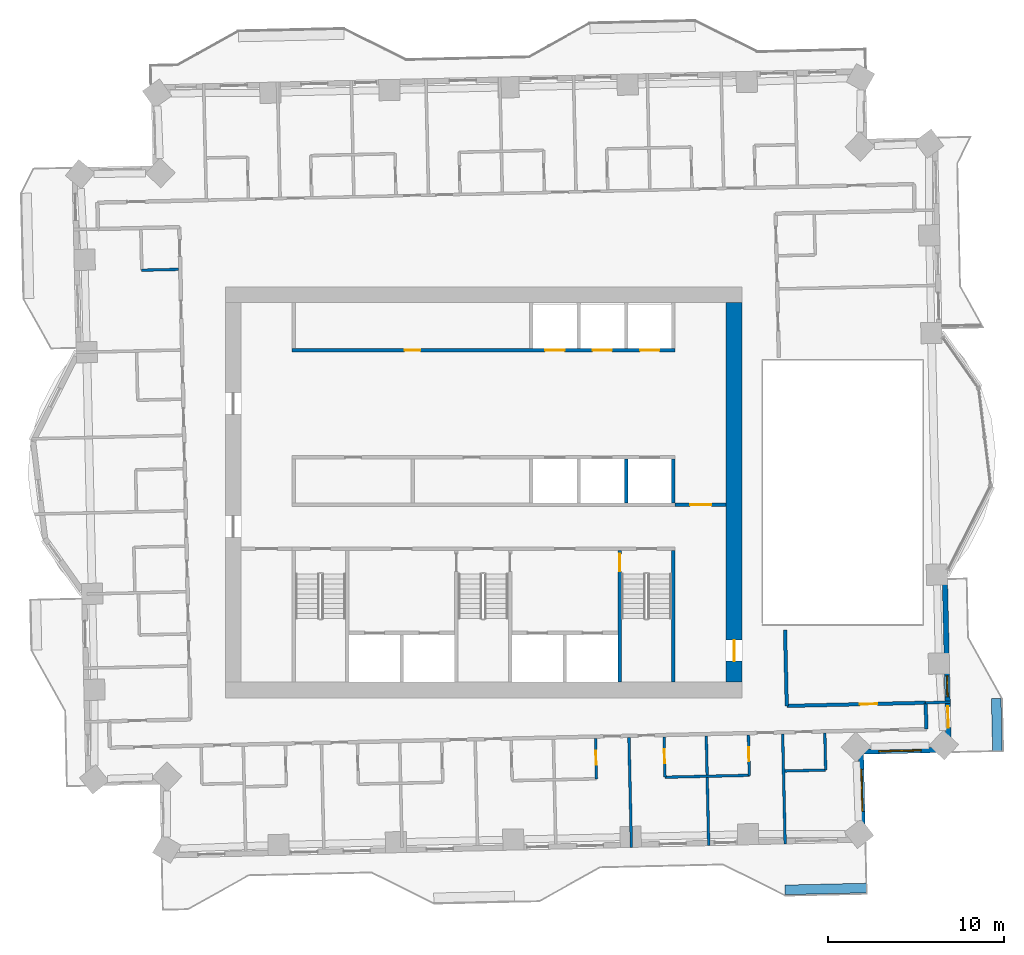
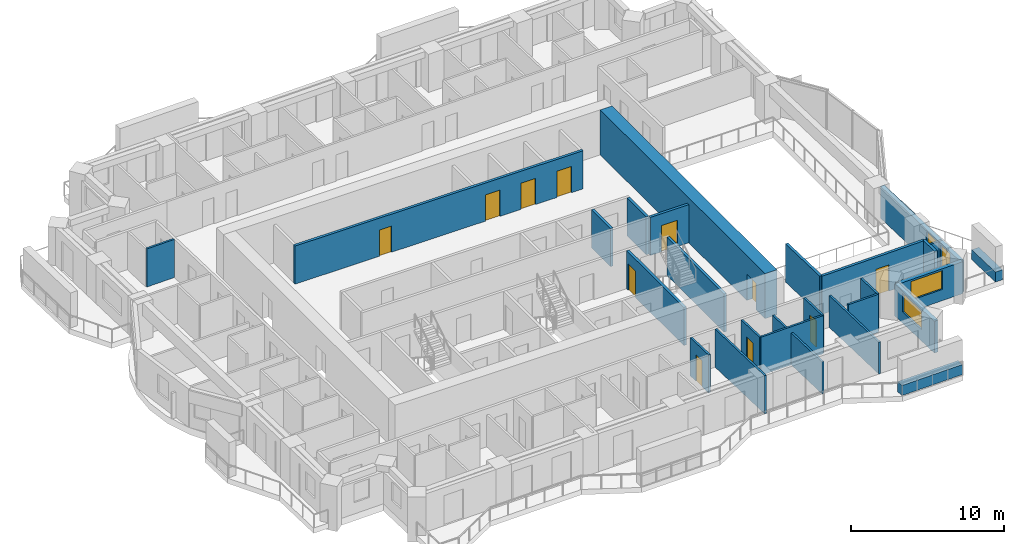
# One storey, part 7 of 14: 26 walls, 12 doors, 3 windows, 15 openings.
"""IFC4 building model written with IfcOpenShell, lengths in metres."""

from ifc_helpers import new_model, si_unit, direction, frame, frame_2d, origin, place, context, subcontext, project, spatial, rectangle, extrude, material, layer, layer_set, type_object, element, fill, save


model = new_model("IFC4")

# Units and contexts
model_context = context("Model", 3, precision=1e-05, world=origin(), true_north=direction((0.0, 1.0)))
body_context = subcontext(model_context, "Body", "Model", "MODEL_VIEW")
ifc_project = project(units=[si_unit("LENGTHUNIT", "METRE"), si_unit("AREAUNIT", "SQUARE_METRE"), si_unit("VOLUMEUNIT", "CUBIC_METRE"), si_unit("PLANEANGLEUNIT", "RADIAN"), si_unit("MASSUNIT", "GRAM", prefix="KILO")], contexts=[model_context])

# Site, building, storey
site_placement = place(None, origin())
site = spatial("IfcSite", under=ifc_project, at=site_placement, CompositionType="ELEMENT")
building_placement = place(site_placement, origin())
building = spatial("IfcBuilding", under=site, at=building_placement, Name="Mangrove Gate Tower", CompositionType="ELEMENT")
storey_placement = place(building_placement, frame((0.0, 0.0, 186.10009765625)))
storey = spatial("IfcBuildingStorey", under=building, at=storey_placement, Name="L47", CompositionType="ELEMENT", Elevation=186.10009765625)

# Wall, opening, door
ifc_material_1 = material(Name="Concrete C32/40", Category="concrete")
ifc_layer_1 = layer(ifc_material_1, 0.199951171875)
ifc_layer_set_1 = layer_set([ifc_layer_1], Name="Core lobby wall 200 C32/40")
wall_type_1 = type_object("IfcWallType", Name="Core lobby wall 200 C32/40", PredefinedType="STANDARD", material=ifc_layer_set_1)
wall_1_placement = place(storey_placement, frame((10.89990234375, -0.699951171875, 0.0), z_axis=(0.0, 0.0, 1.0), x_axis=(1.0, 0.0, 0.0)))
wall_1 = element("IfcWall", 1, at=wall_1_placement, inside=storey, type_object=wall_type_1, Name="WALL-L47-CORE-31", PredefinedType="STANDARD", context=body_context, shape_type="SweptSolid", body=[
    extrude(rectangle(XDim=2.900146484375, YDim=0.199951171875, at=frame_2d((1.4501953125, 0.0))), origin(), (0.0, 0.0, 1.0), 3.0498046875),
])
opening_1_placement = place(wall_1_placement, frame((0.85009765625, 0.0, 0.0)))
opening_1 = element("IfcOpeningElement", 2, at=opening_1_placement, cuts=wall_1, Name="Opening FL12", PredefinedType="OPENING", context=body_context, shape_type="SweptSolid", body=[
    extrude(rectangle(XDim=1.199951171875, YDim=2.10009765625, at=frame_2d((0.60009765625, 1.050048828125))), frame((0.0, 0.10986328125, 0.0), z_axis=(0.0, -1.0, 0.0), x_axis=(1.0, 0.0, 0.0)), (0.0, 0.0, 1.0), 0.219970703125),
])
ifc_material_2 = material(Name="Fire-rated steel door set", Category="steel")
door_type_1 = type_object("IfcDoorType", Name="Lobby door FD60 1200x2100", OperationType="SINGLE_SWING_LEFT", PredefinedType="DOOR", material=ifc_material_2)
door_1_placement = place(opening_1_placement, origin())
door_1 = element("IfcDoor", 3, at=door_1_placement, inside=storey, type_object=door_type_1, Name="Lobby door core corridor E partition", OperationType="SINGLE_SWING_LEFT", OverallHeight=2.10009765625, OverallWidth=1.199951171875, PredefinedType="DOOR", context=body_context, shape_type="SweptSolid", body=[
    extrude(rectangle(XDim=1.199951171875, YDim=2.10009765625, at=frame_2d((0.60009765625, 1.050048828125))), frame((0.0, 0.02490234375, 0.0), z_axis=(0.0, -1.0, 0.0), x_axis=(1.0, 0.0, 0.0)), (0.0, 0.0, 1.0), 0.050048828125),
])
fill(opening_1, door_1)

# Wall, openings, doors
ifc_material_3 = material(Name="Concrete C60/75", Category="concrete")
ifc_layer_2 = layer(ifc_material_3, 0.199951171875)
ifc_layer_set_2 = layer_set([ifc_layer_2], Name="Core shaft wall 200 C60/75")
wall_type_2 = type_object("IfcWallType", Name="Core shaft wall 200 C60/75", PredefinedType="SHEAR", material=ifc_layer_set_2)
wall_2_placement = place(storey_placement, frame((-10.89990234375, 8.10009765625, 0.0), z_axis=(0.0, 0.0, 1.0), x_axis=(1.0, 0.0, 0.0)))
wall_2 = element("IfcWall", 4, at=wall_2_placement, inside=storey, type_object=wall_type_2, Name="WALL-L47-CORE-8", PredefinedType="SHEAR", context=body_context, shape_type="SweptSolid", body=[
    extrude(rectangle(XDim=21.7998046875, YDim=0.199951171875, at=frame_2d((10.89990234375, 0.0))), origin(), (0.0, 0.0, 1.0), 3.0498046875),
])
opening_2_placement = place(wall_2_placement, frame((14.39990234375, 0.0, 0.0)))
opening_2 = element("IfcOpeningElement", 5, at=opening_2_placement, cuts=wall_2, Name="Opening LD", PredefinedType="OPENING", context=body_context, shape_type="SweptSolid", body=[
    extrude(rectangle(XDim=1.10009765625, YDim=2.10009765625, at=frame_2d((0.550048828125, 1.050048828125))), frame((0.0, 0.10986328125, 0.0), z_axis=(0.0, -1.0, 0.0), x_axis=(1.0, 0.0, 0.0)), (0.0, 0.0, 1.0), 0.219970703125),
])
opening_3_placement = place(wall_2_placement, frame((17.10009765625, 0.0, 0.0)))
opening_3 = element("IfcOpeningElement", 6, at=opening_3_placement, cuts=wall_2, Name="Opening LD", PredefinedType="OPENING", context=body_context, shape_type="SweptSolid", body=[
    extrude(rectangle(XDim=1.10009765625, YDim=2.10009765625, at=frame_2d((0.550048828125, 1.050048828125))), frame((0.0, 0.10986328125, 0.0), z_axis=(0.0, -1.0, 0.0), x_axis=(1.0, 0.0, 0.0)), (0.0, 0.0, 1.0), 0.219970703125),
])
opening_4_placement = place(wall_2_placement, frame((19.800048828125, 0.0, 0.0)))
opening_4 = element("IfcOpeningElement", 7, at=opening_4_placement, cuts=wall_2, Name="Opening LD", PredefinedType="OPENING", context=body_context, shape_type="SweptSolid", body=[
    extrude(rectangle(XDim=1.10009765625, YDim=2.10009765625, at=frame_2d((0.550048828125, 1.050048828125))), frame((0.0, 0.10986328125, 0.0), z_axis=(0.0, -1.0, 0.0), x_axis=(1.0, 0.0, 0.0)), (0.0, 0.0, 1.0), 0.219970703125),
])
opening_5_placement = place(wall_2_placement, frame((6.39990234375, 0.0, 0.0)))
opening_5 = element("IfcOpeningElement", 8, at=opening_5_placement, cuts=wall_2, Name="Opening RD", PredefinedType="OPENING", context=body_context, shape_type="SweptSolid", body=[
    extrude(rectangle(XDim=0.89990234375, YDim=2.10009765625, at=frame_2d((0.449951171875, 1.050048828125))), frame((0.0, 0.10986328125, 0.0), z_axis=(0.0, -1.0, 0.0), x_axis=(1.0, 0.0, 0.0)), (0.0, 0.0, 1.0), 0.219970703125),
])
ifc_material_4 = material(Name="Stainless steel 316", Category="steel")
door_type_2 = type_object("IfcDoorType", Name="Lift landing door 1100x2100", OperationType="SLIDING_TO_LEFT", PredefinedType="DOOR", material=ifc_material_4)
door_2_placement = place(opening_2_placement, origin())
door_2 = element("IfcDoor", 9, at=door_2_placement, inside=storey, type_object=door_type_2, Name="Landing door LD M04", OperationType="SLIDING_TO_LEFT", OverallHeight=2.10009765625, OverallWidth=1.10009765625, PredefinedType="DOOR", context=body_context, shape_type="SweptSolid", body=[
    extrude(rectangle(XDim=1.10009765625, YDim=2.10009765625, at=frame_2d((0.550048828125, 1.050048828125))), frame((0.0, 0.02490234375, 0.0), z_axis=(0.0, -1.0, 0.0), x_axis=(1.0, 0.0, 0.0)), (0.0, 0.0, 1.0), 0.050048828125),
])
fill(opening_2, door_2)
door_3_placement = place(opening_3_placement, origin())
door_3 = element("IfcDoor", 10, at=door_3_placement, inside=storey, type_object=door_type_2, Name="Landing door LD M05", OperationType="SLIDING_TO_LEFT", OverallHeight=2.10009765625, OverallWidth=1.10009765625, PredefinedType="DOOR", context=body_context, shape_type="SweptSolid", body=[
    extrude(rectangle(XDim=1.10009765625, YDim=2.10009765625, at=frame_2d((0.550048828125, 1.050048828125))), frame((0.0, 0.02490234375, 0.0), z_axis=(0.0, -1.0, 0.0), x_axis=(1.0, 0.0, 0.0)), (0.0, 0.0, 1.0), 0.050048828125),
])
fill(opening_3, door_3)
door_4_placement = place(opening_4_placement, origin())
door_4 = element("IfcDoor", 11, at=door_4_placement, inside=storey, type_object=door_type_2, Name="Landing door LD M06", OperationType="SLIDING_TO_LEFT", OverallHeight=2.10009765625, OverallWidth=1.10009765625, PredefinedType="DOOR", context=body_context, shape_type="SweptSolid", body=[
    extrude(rectangle(XDim=1.10009765625, YDim=2.10009765625, at=frame_2d((0.550048828125, 1.050048828125))), frame((0.0, 0.02490234375, 0.0), z_axis=(0.0, -1.0, 0.0), x_axis=(1.0, 0.0, 0.0)), (0.0, 0.0, 1.0), 0.050048828125),
])
fill(opening_4, door_4)
ifc_material_5 = material(Name="Fire-rated steel door set", Category="steel")
door_type_3 = type_object("IfcDoorType", Name="Riser door FD30S 900x2100", OperationType="SINGLE_SWING_LEFT", PredefinedType="DOOR", material=ifc_material_5)
door_5_placement = place(opening_5_placement, origin())
door_5 = element("IfcDoor", 12, at=door_5_placement, inside=storey, type_object=door_type_3, Name="Riser door Comms room", OperationType="SINGLE_SWING_LEFT", OverallHeight=2.10009765625, OverallWidth=0.89990234375, PredefinedType="DOOR", context=body_context, shape_type="SweptSolid", body=[
    extrude(rectangle(XDim=0.89990234375, YDim=2.10009765625, at=frame_2d((0.449951171875, 1.050048828125))), frame((0.0, 0.02490234375, 0.0), z_axis=(0.0, -1.0, 0.0), x_axis=(1.0, 0.0, 0.0)), (0.0, 0.0, 1.0), 0.050048828125),
])
fill(opening_5, door_5)

# Walls
for number, where, z_axis, x_axis, name in (
    (13, (8.10009765625, -0.60009765625, 0.0), (0.0, 0.0, 1.0), (0.0, 1.0, 0.0), "WALL-L47-CORE-23"),
    (14, (10.800048828125, -0.60009765625, 0.0), (0.0, 0.0, 1.0), (0.0, 1.0, 0.0), "WALL-L47-CORE-24"),
):
    element("IfcWall", number, at=place(storey_placement, frame(where, z_axis=z_axis, x_axis=x_axis)), inside=storey, type_object=wall_type_2, Name=name, PredefinedType="SHEAR", context=body_context, shape_type="SweptSolid", body=[
        extrude(rectangle(XDim=2.5, YDim=0.199951171875, at=frame_2d((1.25, 0.0))), origin(), (0.0, 0.0, 1.0), 3.0498046875),
    ])

# Wall, opening, door
ifc_material_6 = material(Name="Concrete C60/75", Category="concrete")
ifc_layer_3 = layer(ifc_material_6, 0.199951171875)
ifc_layer_set_3 = layer_set([ifc_layer_3], Name="Core stair wall 200 C60/75")
wall_type_3 = type_object("IfcWallType", Name="Core stair wall 200 C60/75", PredefinedType="SHEAR", material=ifc_layer_set_3)
wall_3_placement = place(storey_placement, frame((7.75, -10.800048828125, 0.0), z_axis=(0.0, 0.0, 1.0), x_axis=(0.0, 1.0, 0.0)))
wall_3 = element("IfcWall", 15, at=wall_3_placement, inside=storey, type_object=wall_type_3, Name="WALL-L47-CORE-13", PredefinedType="SHEAR", context=body_context, shape_type="SweptSolid", body=[
    extrude(rectangle(XDim=7.5, YDim=0.199951171875, at=frame_2d((3.75, 0.0))), origin(), (0.0, 0.0, 1.0), 3.0498046875),
])
opening_6_placement = place(wall_3_placement, frame((6.300048828125, 0.0, 0.0)))
opening_6 = element("IfcOpeningElement", 16, at=opening_6_placement, cuts=wall_3, Name="Opening STD10", PredefinedType="OPENING", context=body_context, shape_type="SweptSolid", body=[
    extrude(rectangle(XDim=1.0, YDim=2.10009765625, at=frame_2d((0.5, 1.050048828125))), frame((0.0, 0.10986328125, 0.0), z_axis=(0.0, -1.0, 0.0), x_axis=(1.0, 0.0, 0.0)), (0.0, 0.0, 1.0), 0.219970703125),
])
ifc_material_7 = material(Name="Fire-rated steel door set", Category="steel")
door_type_4 = type_object("IfcDoorType", Name="Stair door FD60 1000x2100", OperationType="SINGLE_SWING_RIGHT", PredefinedType="DOOR", material=ifc_material_7)
door_6_placement = place(opening_6_placement, origin())
door_6 = element("IfcDoor", 17, at=door_6_placement, inside=storey, type_object=door_type_4, Name="Stair door Stair 3 from fire-fighting lobby", OperationType="SINGLE_SWING_RIGHT", OverallHeight=2.10009765625, OverallWidth=1.0, PredefinedType="DOOR", context=body_context, shape_type="SweptSolid", body=[
    extrude(rectangle(XDim=1.0, YDim=2.10009765625, at=frame_2d((0.5, 1.050048828125))), frame((0.0, 0.02490234375, 0.0), z_axis=(0.0, -1.0, 0.0), x_axis=(1.0, 0.0, 0.0)), (0.0, 0.0, 1.0), 0.050048828125),
])
fill(opening_6, door_6)

# Wall
wall_4_placement = place(storey_placement, frame((10.800048828125, -10.800048828125, 0.0), z_axis=(0.0, 0.0, 1.0), x_axis=(0.0, 1.0, 0.0)))
element("IfcWall", 18, at=wall_4_placement, inside=storey, type_object=wall_type_3, Name="WALL-L47-CORE-14", PredefinedType="SHEAR", context=body_context, shape_type="SweptSolid", body=[
    extrude(rectangle(XDim=7.5, YDim=0.199951171875, at=frame_2d((3.75, 0.0))), origin(), (0.0, 0.0, 1.0), 3.0498046875),
])

# Wall, opening, door
ifc_material_8 = material(Name="Concrete C60/75", Category="concrete")
ifc_layer_4 = layer(ifc_material_8, 0.89990234375)
ifc_layer_set_4 = layer_set([ifc_layer_4], Name="Core wall 900 C60/75")
wall_type_4 = type_object("IfcWallType", Name="Core wall 900 C60/75", PredefinedType="SHEAR", material=ifc_layer_set_4)
wall_5_placement = place(storey_placement, frame((14.25, -10.800048828125, 0.0), z_axis=(0.0, 0.0, 1.0), x_axis=(0.0, 1.0, 0.0)))
wall_5 = element("IfcWall", 19, at=wall_5_placement, inside=storey, type_object=wall_type_4, Name="WALL-L47-CORE-4", PredefinedType="SHEAR", context=body_context, shape_type="SweptSolid", body=[
    extrude(rectangle(XDim=21.60009765625, YDim=0.89990234375, at=frame_2d((10.800048828125, 0.0))), origin(), (0.0, 0.0, 1.0), 3.599853515625),
])
opening_7_placement = place(wall_5_placement, frame((1.199951171875, 0.0, 0.0)))
opening_7 = element("IfcOpeningElement", 20, at=opening_7_placement, cuts=wall_5, Name="Opening CD", PredefinedType="OPENING", context=body_context, shape_type="SweptSolid", body=[
    extrude(rectangle(XDim=1.199951171875, YDim=2.10009765625, at=frame_2d((0.60009765625, 1.050048828125))), frame((0.0, 0.4599609375, 0.0), z_axis=(0.0, -1.0, 0.0), x_axis=(1.0, 0.0, 0.0)), (0.0, 0.0, 1.0), 0.919921875),
])
ifc_material_9 = material(Name="Fire-rated steel door set", Category="steel")
door_type_5 = type_object("IfcDoorType", Name="Core ring door FD60 1200x2100", OperationType="DOUBLE_DOOR_SINGLE_SWING", PredefinedType="DOOR", material=ifc_material_9)
door_7_placement = place(opening_7_placement, origin())
door_7 = element("IfcDoor", 21, at=door_7_placement, inside=storey, type_object=door_type_5, Name="Core ring door E1", OperationType="DOUBLE_DOOR_SINGLE_SWING", OverallHeight=2.10009765625, OverallWidth=1.199951171875, PredefinedType="DOOR", context=body_context, shape_type="SweptSolid", body=[
    extrude(rectangle(XDim=1.199951171875, YDim=2.10009765625, at=frame_2d((0.60009765625, 1.050048828125))), frame((0.0, 0.02490234375, 0.0), z_axis=(0.0, -1.0, 0.0), x_axis=(1.0, 0.0, 0.0)), (0.0, 0.0, 1.0), 0.050048828125),
])
fill(opening_7, door_7)

# Walls
ifc_material_10 = material(Name="Gypsum board on steel stud, EI 60", Category="steel")
ifc_layer_5 = layer(ifc_material_10, 0.199951171875)
ifc_layer_set_5 = layer_set([ifc_layer_5], Name="Corridor wall EI 60")
wall_type_5 = type_object("IfcWallType", Name="Corridor wall EI 60", PredefinedType="PARTITIONING", material=ifc_layer_set_5)
wall_6_placement = place(storey_placement, frame((25.18896484375, -13.468994140625, 0.0), z_axis=(0.0, 0.0, 1.0), x_axis=(-0.022617910375, 0.999744182344, 0.0)))
element("IfcWall", 22, at=wall_6_placement, inside=storey, type_object=wall_type_5, Name="WALL-L47-026", PredefinedType="PARTITIONING", context=body_context, shape_type="SweptSolid", body=[
    extrude(rectangle(XDim=1.50048828125, YDim=0.199951171875, at=frame_2d((0.750244140625, 0.0))), origin(), (0.0, 0.0, 1.0), 3.0498046875),
])
wall_7_placement = place(storey_placement, frame((17.2470703125, -12.14892578125, 0.0), z_axis=(0.0, 0.0, 1.0), x_axis=(-0.022729111383, 0.999741660378, 0.0)))
element("IfcWall", 23, at=wall_7_placement, inside=storey, type_object=wall_type_5, Name="WALL-L47-030", PredefinedType="PARTITIONING", context=body_context, shape_type="SweptSolid", body=[
    extrude(rectangle(XDim=4.318115234375, YDim=0.199951171875, at=frame_2d((2.1591796875, 0.0))), origin(), (0.0, 0.0, 1.0), 3.0498046875),
])

# Wall, opening, door
wall_8_placement = place(storey_placement, frame((17.248046875, -12.14892578125, 0.0), z_axis=(0.0, 0.0, 1.0), x_axis=(0.999741181744, 0.022750154412, 0.0)))
wall_8 = element("IfcWall", 24, at=wall_8_placement, inside=storey, type_object=wall_type_5, Name="WALL-L47-031", PredefinedType="PARTITIONING", context=body_context, shape_type="SweptSolid", body=[
    extrude(rectangle(XDim=7.908935546875, YDim=0.199951171875, at=frame_2d((3.95458984375, 0.0))), origin(), (0.0, 0.0, 1.0), 3.0498046875),
])
opening_8_placement = place(wall_8_placement, frame((4.155029296875, 0.0, 0.0)))
opening_8 = element("IfcOpeningElement", 25, at=opening_8_placement, cuts=wall_8, Name="Opening AD", PredefinedType="OPENING", context=body_context, shape_type="SweptSolid", body=[
    extrude(rectangle(XDim=1.0, YDim=2.10009765625, at=frame_2d((0.5, 1.050048828125))), frame((0.0, 0.10986328125, 0.0), z_axis=(0.0, -1.0, 0.0), x_axis=(1.0, 0.0, 0.0)), (0.0, 0.0, 1.0), 0.219970703125),
])
ifc_material_11 = material(Name="Timber door leaf", Category="wood")
door_type_6 = type_object("IfcDoorType", Name="Amenity door 1000", OperationType="SINGLE_SWING_LEFT", PredefinedType="DOOR", material=ifc_material_11)
door_8_placement = place(opening_8_placement, origin())
door_8 = element("IfcDoor", 26, at=door_8_placement, inside=storey, type_object=door_type_6, Name="DOOR-L47-KIT-c3b", OperationType="SINGLE_SWING_LEFT", OverallHeight=2.10009765625, OverallWidth=1.0, PredefinedType="DOOR", context=body_context, shape_type="SweptSolid", body=[
    extrude(rectangle(XDim=1.0, YDim=2.10009765625, at=frame_2d((0.5, 1.050048828125))), frame((0.0, 0.02490234375, 0.0), z_axis=(0.0, -1.0, 0.0), x_axis=(1.0, 0.0, 0.0)), (0.0, 0.0, 1.0), 0.050048828125),
])
fill(opening_8, door_8)

# Wall, openings, door, window
ifc_material_12 = material(Name="Limestone", Category="masonry")
ifc_layer_6 = layer(ifc_material_12, 0.0400390625, Name="Limestone cladding")
ifc_material_13 = material(Name="Ventilated air gap")
ifc_layer_7 = layer(ifc_material_13, 0.0400390625, Name="Ventilated cavity")
ifc_material_14 = material(Name="Mineral wool insulation")
ifc_layer_8 = layer(ifc_material_14, 0.06005859375, Name="Insulation")
ifc_material_15 = material(Name="Breather membrane")
ifc_layer_9 = layer(ifc_material_15, 0.001953125, Name="Breather membrane")
ifc_material_16 = material(Name="Concrete C20/25 blockwork", Category="masonry")
ifc_layer_10 = layer(ifc_material_16, 0.14990234375, Name="Blockwork backing wall")
ifc_material_17 = material(Name="Gypsum plaster")
ifc_layer_11 = layer(ifc_material_17, 0.008056640625, Name="Internal plaster")
ifc_layer_set_6 = layer_set([ifc_layer_6, ifc_layer_7, ifc_layer_8, ifc_layer_9, ifc_layer_10, ifc_layer_11], Name="External wall 300 limestone cladding")
wall_type_6 = type_object("IfcWallType", Name="External wall 300 limestone cladding", PredefinedType="SOLIDWALL", material=ifc_layer_set_6)
wall_9_placement = place(storey_placement, frame((26.466064453125, -14.639892578125, 0.0), z_axis=(0.0, 0.0, 1.0), x_axis=(-0.022735782058, 0.999741508698, 0.0)))
wall_9 = element("IfcWall", 27, at=wall_9_placement, inside=storey, type_object=wall_type_6, Name="WALL-L47-E0", PredefinedType="SOLIDWALL", context=body_context, shape_type="SweptSolid", body=[
    extrude(rectangle(XDim=10.029541015625, YDim=0.300048828125, at=frame_2d((5.0146484375, 0.0))), origin(), (0.0, 0.0, 1.0), 2.5498046875),
])
opening_9_placement = place(wall_9_placement, frame((1.260009765625, 0.0, 0.0)))
opening_9 = element("IfcOpeningElement", 28, at=opening_9_placement, cuts=wall_9, Name="Opening BD2", PredefinedType="OPENING", context=body_context, shape_type="SweptSolid", body=[
    extrude(rectangle(XDim=1.199951171875, YDim=2.39990234375, at=frame_2d((0.60009765625, 1.199951171875))), frame((0.0, 0.159912109375, 0.0), z_axis=(0.0, -1.0, 0.0), x_axis=(1.0, 0.0, 0.0)), (0.0, 0.0, 1.0), 0.320068359375),
])
opening_10_placement = place(wall_9_placement, frame((3.006103515625, 0.0, 0.89990234375)))
opening_10 = element("IfcOpeningElement", 29, at=opening_10_placement, cuts=wall_9, Name="Opening W1", PredefinedType="OPENING", context=body_context, shape_type="SweptSolid", body=[
    extrude(rectangle(XDim=1.199951171875, YDim=1.5, at=frame_2d((0.60009765625, 0.75))), frame((0.0, 0.159912109375, 0.0), z_axis=(0.0, -1.0, 0.0), x_axis=(1.0, 0.0, 0.0)), (0.0, 0.0, 1.0), 0.320068359375),
])
ifc_material_18 = material(Name="Aluminium frame with laminated clear glass", Category="aluminium")
door_type_7 = type_object("IfcDoorType", Name="Balcony sliding door 1200x2400", OperationType="SLIDING_TO_LEFT", PredefinedType="DOOR", material=ifc_material_18)
door_9_placement = place(opening_9_placement, origin())
door_9 = element("IfcDoor", 30, at=door_9_placement, inside=storey, type_object=door_type_7, Name="DOOR-L47-E0-1", OperationType="SLIDING_TO_LEFT", OverallHeight=2.39990234375, OverallWidth=1.199951171875, PredefinedType="DOOR", context=body_context, shape_type="SweptSolid", body=[
    extrude(rectangle(XDim=1.199951171875, YDim=2.39990234375, at=frame_2d((0.60009765625, 1.199951171875))), frame((0.0, 0.02490234375, 0.0), z_axis=(0.0, -1.0, 0.0), x_axis=(1.0, 0.0, 0.0)), (0.0, 0.0, 1.0), 0.050048828125),
])
fill(opening_9, door_9)
ifc_material_19 = material(Name="Aluminium frame with double-glazed low-e glass", Category="aluminium")
window_type_1 = type_object("IfcWindowType", Name="Side lite 1200x1500", PartitioningType="SINGLE_PANEL", PredefinedType="WINDOW", material=ifc_material_19)
window_1_placement = place(opening_10_placement, origin())
window_1 = element("IfcWindow", 31, at=window_1_placement, inside=storey, type_object=window_type_1, Name="WIN-L47-E0-2", OverallHeight=1.5, OverallWidth=1.199951171875, PartitioningType="SINGLE_PANEL", PredefinedType="WINDOW", context=body_context, shape_type="SweptSolid", body=[
    extrude(rectangle(XDim=1.199951171875, YDim=1.5, at=frame_2d((0.60009765625, 0.75))), frame((0.0, 0.030029296875, 0.0), z_axis=(0.0, -1.0, 0.0), x_axis=(1.0, 0.0, 0.0)), (0.0, 0.0, 1.0), 0.06005859375),
])
fill(opening_10, window_1)

# Wall, opening, window
wall_10_placement = place(storey_placement, frame((21.5810546875, -19.751953125, 0.0), z_axis=(0.0, 0.0, 1.0), x_axis=(-0.022801259434, 0.999740017489, 0.0)))
wall_10 = element("IfcWall", 32, at=wall_10_placement, inside=storey, type_object=wall_type_6, Name="WALL-L47-E14", PredefinedType="SOLIDWALL", context=body_context, shape_type="SweptSolid", body=[
    extrude(rectangle(XDim=5.000244140625, YDim=0.300048828125, at=frame_2d((2.5, 0.0))), origin(), (0.0, 0.0, 1.0), 2.5498046875),
])
opening_11_placement = place(wall_10_placement, frame((1.597900390625, 0.0, 0.89990234375)))
opening_11 = element("IfcOpeningElement", 33, at=opening_11_placement, cuts=wall_10, Name="Opening W2", PredefinedType="OPENING", context=body_context, shape_type="SweptSolid", body=[
    extrude(rectangle(XDim=2.39990234375, YDim=1.5, at=frame_2d((1.199951171875, 0.75))), frame((0.0, 0.159912109375, 0.0), z_axis=(0.0, -1.0, 0.0), x_axis=(1.0, 0.0, 0.0)), (0.0, 0.0, 1.0), 0.320068359375),
])
ifc_material_20 = material(Name="Aluminium frame with double-glazed low-e glass", Category="aluminium")
window_type_2 = type_object("IfcWindowType", Name="Corner room window 2400x1500", PartitioningType="DOUBLE_PANEL_VERTICAL", PredefinedType="WINDOW", material=ifc_material_20)
window_2_placement = place(opening_11_placement, origin())
window_2 = element("IfcWindow", 34, at=window_2_placement, inside=storey, type_object=window_type_2, Name="WIN-L47-E14-1", OverallHeight=1.5, OverallWidth=2.39990234375, PartitioningType="DOUBLE_PANEL_VERTICAL", PredefinedType="WINDOW", context=body_context, shape_type="SweptSolid", body=[
    extrude(rectangle(XDim=2.39990234375, YDim=1.5, at=frame_2d((1.199951171875, 0.75))), frame((0.0, 0.030029296875, 0.0), z_axis=(0.0, -1.0, 0.0), x_axis=(1.0, 0.0, 0.0)), (0.0, 0.0, 1.0), 0.06005859375),
])
fill(opening_11, window_2)

wall_11_placement = place(storey_placement, frame((21.467041015625, -14.7529296875, 0.0), z_axis=(0.0, 0.0, 1.0), x_axis=(0.999744450377, 0.022606059803, 0.0)))
wall_11 = element("IfcWall", 35, at=wall_11_placement, inside=storey, type_object=wall_type_6, Name="WALL-L47-S15", PredefinedType="SOLIDWALL", context=body_context, shape_type="SweptSolid", body=[
    extrude(rectangle(XDim=5.000244140625, YDim=0.300048828125, at=frame_2d((2.5, 0.0))), origin(), (0.0, 0.0, 1.0), 2.5498046875),
])
opening_12_placement = place(wall_11_placement, frame((1.02392578125, 0.0, 0.89990234375)))
opening_12 = element("IfcOpeningElement", 36, at=opening_12_placement, cuts=wall_11, Name="Opening W2", PredefinedType="OPENING", context=body_context, shape_type="SweptSolid", body=[
    extrude(rectangle(XDim=2.39990234375, YDim=1.5, at=frame_2d((1.199951171875, 0.75))), frame((0.0, 0.159912109375, 0.0), z_axis=(0.0, -1.0, 0.0), x_axis=(1.0, 0.0, 0.0)), (0.0, 0.0, 1.0), 0.320068359375),
])
window_3_placement = place(opening_12_placement, origin())
window_3 = element("IfcWindow", 37, at=window_3_placement, inside=storey, type_object=window_type_2, Name="WIN-L47-S15-1", OverallHeight=1.5, OverallWidth=2.39990234375, PartitioningType="DOUBLE_PANEL_VERTICAL", PredefinedType="WINDOW", context=body_context, shape_type="SweptSolid", body=[
    extrude(rectangle(XDim=2.39990234375, YDim=1.5, at=frame_2d((1.199951171875, 0.75))), frame((0.0, 0.030029296875, 0.0), z_axis=(0.0, -1.0, 0.0), x_axis=(1.0, 0.0, 0.0)), (0.0, 0.0, 1.0), 0.06005859375),
])
fill(opening_12, window_3)

# Walls
ifc_material_21 = material(Name="Gypsum board on steel stud, EI 60", Category="steel")
ifc_layer_12 = layer(ifc_material_21, 0.14990234375)
ifc_layer_set_7 = layer_set([ifc_layer_12], Name="Party wall 150 EI 60")
wall_type_7 = type_object("IfcWallType", Name="Party wall 150 EI 60", PredefinedType="PARTITIONING", material=ifc_layer_set_7)
wall_12_placement = place(storey_placement, frame((8.406982421875, -20.200927734375, 0.0), z_axis=(0.0, 0.0, 1.0), x_axis=(-0.022540379945, 0.999745933361, 0.0)))
element("IfcWall", 38, at=wall_12_placement, inside=storey, type_object=wall_type_7, Name="WALL-L47-006", PredefinedType="PARTITIONING", context=body_context, shape_type="SweptSolid", body=[
    extrude(rectangle(XDim=6.249755859375, YDim=0.14990234375, at=frame_2d((3.125, 0.0))), origin(), (0.0, 0.0, 1.0), 3.0498046875),
])
wall_13_placement = place(storey_placement, frame((12.805908203125, -20.10107421875, 0.0), z_axis=(0.0, 0.0, 1.0), x_axis=(-0.022540379945, 0.999745933361, 0.0)))
element("IfcWall", 39, at=wall_13_placement, inside=storey, type_object=wall_type_7, Name="WALL-L47-007", PredefinedType="PARTITIONING", context=body_context, shape_type="SweptSolid", body=[
    extrude(rectangle(XDim=6.249755859375, YDim=0.14990234375, at=frame_2d((3.125, 0.0))), origin(), (0.0, 0.0, 1.0), 2.5498046875),
])
wall_14_placement = place(storey_placement, frame((17.155029296875, -20.0029296875, 0.0), z_axis=(0.0, 0.0, 1.0), x_axis=(-0.022732052173, 0.999741593515, 0.0)))
element("IfcWall", 40, at=wall_14_placement, inside=storey, type_object=wall_type_7, Name="WALL-L47-008", PredefinedType="PARTITIONING", context=body_context, shape_type="SweptSolid", body=[
    extrude(rectangle(XDim=6.250732421875, YDim=0.14990234375, at=frame_2d((3.12548828125, 0.0))), origin(), (0.0, 0.0, 1.0), 2.5498046875),
])

# Wall, opening, door
wall_15_placement = place(storey_placement, frame((6.41796875, -16.294921875, 0.0), z_axis=(0.0, 0.0, 1.0), x_axis=(-0.022615284993, 0.999744241736, 0.0)))
wall_15 = element("IfcWall", 41, at=wall_15_placement, inside=storey, type_object=wall_type_7, Name="WALL-L47-016", PredefinedType="PARTITIONING", context=body_context, shape_type="SweptSolid", body=[
    extrude(rectangle(XDim=2.29931640625, YDim=0.14990234375, at=frame_2d((1.149658203125, 0.0))), origin(), (0.0, 0.0, 1.0), 3.0498046875),
])
opening_13_placement = place(wall_15_placement, frame((0.800048828125, 0.0, 0.0)))
opening_13 = element("IfcOpeningElement", 42, at=opening_13_placement, cuts=wall_15, Name="Opening ED", PredefinedType="OPENING", context=body_context, shape_type="SweptSolid", body=[
    extrude(rectangle(XDim=0.800048828125, YDim=2.10009765625, at=frame_2d((0.39990234375, 1.050048828125))), frame((0.0, 0.0849609375, 0.0), z_axis=(0.0, -1.0, 0.0), x_axis=(1.0, 0.0, 0.0)), (0.0, 0.0, 1.0), 0.169921875),
])
ifc_material_22 = material(Name="Timber door leaf", Category="wood")
door_type_8 = type_object("IfcDoorType", Name="En-suite door 800", OperationType="SINGLE_SWING_LEFT", PredefinedType="DOOR", material=ifc_material_22)
door_10_placement = place(opening_13_placement, origin())
door_10 = element("IfcDoor", 43, at=door_10_placement, inside=storey, type_object=door_type_8, Name="DOOR-L47-ENS-c205", OperationType="SINGLE_SWING_LEFT", OverallHeight=2.10009765625, OverallWidth=0.800048828125, PredefinedType="DOOR", context=body_context, shape_type="SweptSolid", body=[
    extrude(rectangle(XDim=0.800048828125, YDim=2.10009765625, at=frame_2d((0.39990234375, 1.050048828125))), frame((0.0, 0.02490234375, 0.0), z_axis=(0.0, -1.0, 0.0), x_axis=(1.0, 0.0, 0.0)), (0.0, 0.0, 1.0), 0.050048828125),
])
fill(opening_13, door_10)

# Wall
wall_16_placement = place(storey_placement, frame((10.31689453125, -16.20703125, 0.0), z_axis=(0.0, 0.0, 1.0), x_axis=(0.99974154664, 0.022734113616, 0.0)))
element("IfcWall", 44, at=wall_16_placement, inside=storey, type_object=wall_type_7, Name="WALL-L47-017", PredefinedType="PARTITIONING", context=body_context, shape_type="SweptSolid", body=[
    extrude(rectangle(XDim=4.80029296875, YDim=0.14990234375, at=frame_2d((2.400146484375, 0.0))), origin(), (0.0, 0.0, 1.0), 3.0498046875),
])

# Wall, opening, door
wall_17_placement = place(storey_placement, frame((10.31689453125, -16.20703125, 0.0), z_axis=(0.0, 0.0, 1.0), x_axis=(-0.022603288534, 0.999744513037, 0.0)))
wall_17 = element("IfcWall", 45, at=wall_17_placement, inside=storey, type_object=wall_type_7, Name="WALL-L47-018", PredefinedType="PARTITIONING", context=body_context, shape_type="SweptSolid", body=[
    extrude(rectangle(XDim=2.300537109375, YDim=0.14990234375, at=frame_2d((1.150390625, 0.0))), origin(), (0.0, 0.0, 1.0), 3.0498046875),
])
opening_14_placement = place(wall_17_placement, frame((0.800048828125, 0.0, 0.0)))
opening_14 = element("IfcOpeningElement", 46, at=opening_14_placement, cuts=wall_17, Name="Opening ED", PredefinedType="OPENING", context=body_context, shape_type="SweptSolid", body=[
    extrude(rectangle(XDim=0.800048828125, YDim=2.10009765625, at=frame_2d((0.39990234375, 1.050048828125))), frame((0.0, 0.0849609375, 0.0), z_axis=(0.0, -1.0, 0.0), x_axis=(1.0, 0.0, 0.0)), (0.0, 0.0, 1.0), 0.169921875),
])
door_11_placement = place(opening_14_placement, origin())
door_11 = element("IfcDoor", 47, at=door_11_placement, inside=storey, type_object=door_type_8, Name="DOOR-L47-ENS-c206", OperationType="SINGLE_SWING_RIGHT", OverallHeight=2.10009765625, OverallWidth=0.800048828125, PredefinedType="DOOR", context=body_context, shape_type="SweptSolid", body=[
    extrude(rectangle(XDim=0.800048828125, YDim=2.10009765625, at=frame_2d((0.39990234375, 1.050048828125))), frame((0.0, 0.02490234375, 0.0), z_axis=(0.0, -1.0, 0.0), x_axis=(1.0, 0.0, 0.0)), (0.0, 0.0, 1.0), 0.050048828125),
])
fill(opening_14, door_11)

wall_18_placement = place(storey_placement, frame((15.115966796875, -16.097900390625, 0.0), z_axis=(0.0, 0.0, 1.0), x_axis=(-0.022615284993, 0.999744241736, 0.0)))
wall_18 = element("IfcWall", 48, at=wall_18_placement, inside=storey, type_object=wall_type_7, Name="WALL-L47-019", PredefinedType="PARTITIONING", context=body_context, shape_type="SweptSolid", body=[
    extrude(rectangle(XDim=2.29931640625, YDim=0.14990234375, at=frame_2d((1.149658203125, 0.0))), origin(), (0.0, 0.0, 1.0), 3.0498046875),
])
opening_15_placement = place(wall_18_placement, frame((0.800048828125, 0.0, 0.0)))
opening_15 = element("IfcOpeningElement", 49, at=opening_15_placement, cuts=wall_18, Name="Opening ED", PredefinedType="OPENING", context=body_context, shape_type="SweptSolid", body=[
    extrude(rectangle(XDim=0.800048828125, YDim=2.10009765625, at=frame_2d((0.39990234375, 1.050048828125))), frame((0.0, 0.0849609375, 0.0), z_axis=(0.0, -1.0, 0.0), x_axis=(1.0, 0.0, 0.0)), (0.0, 0.0, 1.0), 0.169921875),
])
door_12_placement = place(opening_15_placement, origin())
door_12 = element("IfcDoor", 50, at=door_12_placement, inside=storey, type_object=door_type_8, Name="DOOR-L47-ENS-c307", OperationType="SINGLE_SWING_LEFT", OverallHeight=2.10009765625, OverallWidth=0.800048828125, PredefinedType="DOOR", context=body_context, shape_type="SweptSolid", body=[
    extrude(rectangle(XDim=0.800048828125, YDim=2.10009765625, at=frame_2d((0.39990234375, 1.050048828125))), frame((0.0, 0.02490234375, 0.0), z_axis=(0.0, -1.0, 0.0), x_axis=(1.0, 0.0, 0.0)), (0.0, 0.0, 1.0), 0.050048828125),
])
fill(opening_15, door_12)

# Walls
wall_19_placement = place(storey_placement, frame((17.135986328125, -15.85205078125, 0.0), z_axis=(0.0, 0.0, 1.0), x_axis=(0.999740260747, 0.02279059109, 0.0)))
element("IfcWall", 51, at=wall_19_placement, inside=storey, type_object=wall_type_7, Name="WALL-L47-022", PredefinedType="PARTITIONING", context=body_context, shape_type="SweptSolid", body=[
    extrude(rectangle(XDim=2.324462890625, YDim=0.14990234375, at=frame_2d((1.162109375, 0.0))), origin(), (0.0, 0.0, 1.0), 3.0498046875),
])
wall_20_placement = place(storey_placement, frame((19.4599609375, -15.799072265625, 0.0), z_axis=(0.0, 0.0, 1.0), x_axis=(-0.022325208909, 0.999750761464, 0.0)))
element("IfcWall", 52, at=wall_20_placement, inside=storey, type_object=wall_type_7, Name="WALL-L47-023", PredefinedType="PARTITIONING", context=body_context, shape_type="SweptSolid", body=[
    extrude(rectangle(XDim=2.099609375, YDim=0.14990234375, at=frame_2d((1.0498046875, 0.0))), origin(), (0.0, 0.0, 1.0), 3.0498046875),
])
wall_21_placement = place(storey_placement, frame((25.15087890625, -11.968994140625, 0.0), z_axis=(0.0, 0.0, 1.0), x_axis=(0.999740667531, 0.022772739949, 0.0)))
element("IfcWall", 53, at=wall_21_placement, inside=storey, type_object=wall_type_7, Name="WALL-L47-032", PredefinedType="PARTITIONING", context=body_context, shape_type="SweptSolid", body=[
    extrude(rectangle(XDim=1.404296875, YDim=0.14990234375, at=frame_2d((0.7021484375, 0.0))), origin(), (0.0, 0.0, 1.0), 2.5498046875),
])
wall_22_placement = place(storey_placement, frame((-19.4599609375, 12.64501953125, 0.0), z_axis=(0.0, 0.0, 1.0), x_axis=(0.999737799372, 0.022898307927, 0.0)))
element("IfcWall", 54, at=wall_22_placement, inside=storey, type_object=wall_type_7, Name="WALL-L47-048", PredefinedType="PARTITIONING", context=body_context, shape_type="SweptSolid", body=[
    extrude(rectangle(XDim=2.100341796875, YDim=0.14990234375, at=frame_2d((1.05029296875, 0.0))), origin(), (0.0, 0.0, 1.0), 3.0498046875),
])
ifc_material_23 = material(Name="Concrete C32/40", Category="concrete")
ifc_layer_13 = layer(ifc_material_23, 0.199951171875, Name="Planter trough wall")
ifc_material_24 = material(Name="Bituminous waterproofing membrane")
ifc_layer_14 = layer(ifc_material_24, 0.0048828125, Name="Waterproofing")
ifc_material_25 = material(Name="Drainage board and gravel")
ifc_layer_15 = layer(ifc_material_25, 0.044921875, Name="Drainage layer")
ifc_material_26 = material(Name="Planting soil")
ifc_layer_16 = layer(ifc_material_26, 0.300048828125, Name="Growing medium")
ifc_layer_set_8 = layer_set([ifc_layer_13, ifc_layer_14, ifc_layer_15, ifc_layer_16], Name="Planter wall 550 C32/40")
wall_type_8 = type_object("IfcWallType", Name="Planter wall 550 C32/40", PredefinedType="USERDEFINED", material=ifc_layer_set_8)
wall_23_placement = place(storey_placement, frame((29.23388671875, -14.72705078125, 0.0), z_axis=(0.0, 0.0, 1.0), x_axis=(-0.022625271604, 0.999744015778, 0.0)))
element("IfcWall", 55, at=wall_23_placement, inside=storey, type_object=wall_type_8, Name="PLANTER L47 E0.1", ObjectType="PLANTER", PredefinedType="USERDEFINED", context=body_context, shape_type="SweptSolid", body=[
    extrude(rectangle(XDim=2.999755859375, YDim=0.550048828125, at=frame_2d((1.5, 0.0))), origin(), (0.0, 0.0, 1.0), 0.7998046875),
])
wall_24_placement = place(storey_placement, frame((17.155029296875, -22.617919921875, 0.0), z_axis=(0.0, 0.0, 1.0), x_axis=(0.999744031086, 0.022624595199, 0.0)))
element("IfcWall", 56, at=wall_24_placement, inside=storey, type_object=wall_type_8, Name="PLANTER L47 S1.1", ObjectType="PLANTER", PredefinedType="USERDEFINED", context=body_context, shape_type="SweptSolid", body=[
    extrude(rectangle(XDim=4.64013671875, YDim=0.550048828125, at=frame_2d((2.320068359375, 0.0))), origin(), (0.0, 0.0, 1.0), 0.7998046875),
])

save(model, "model.ifc")
